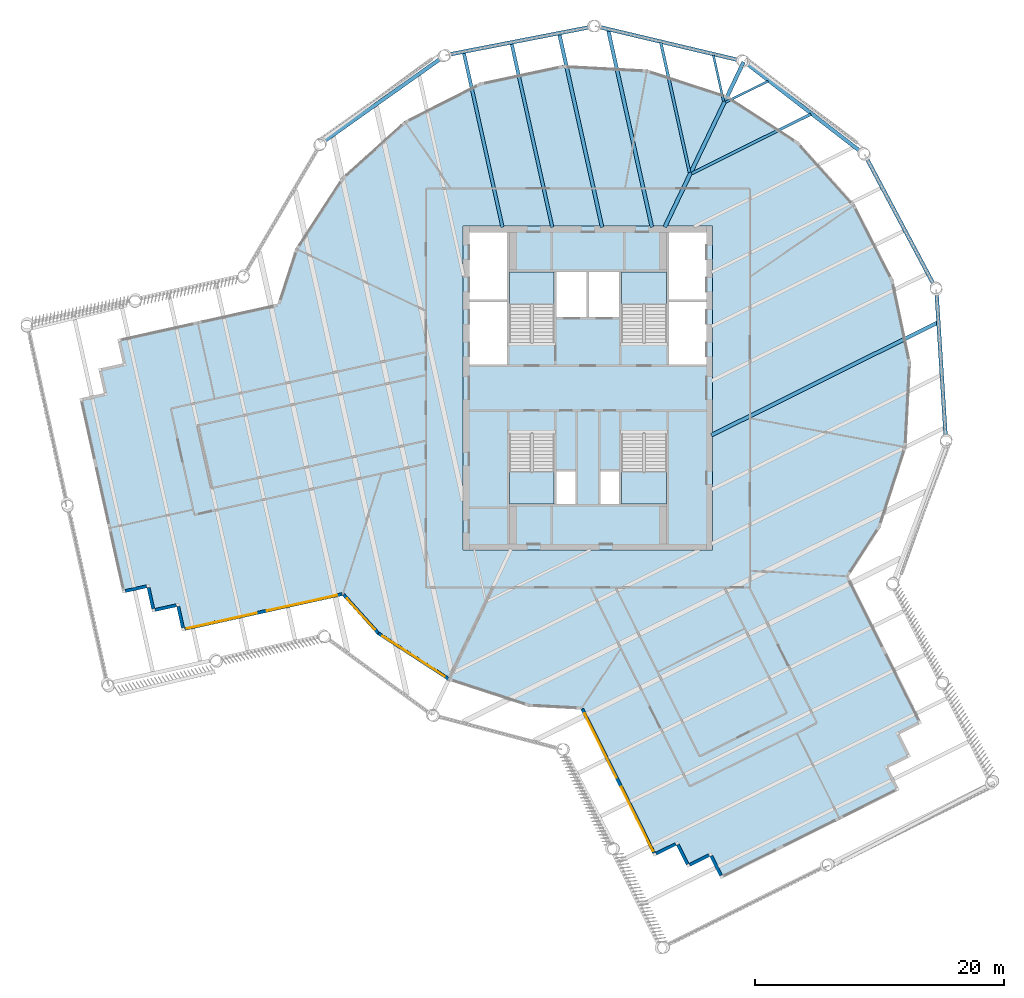
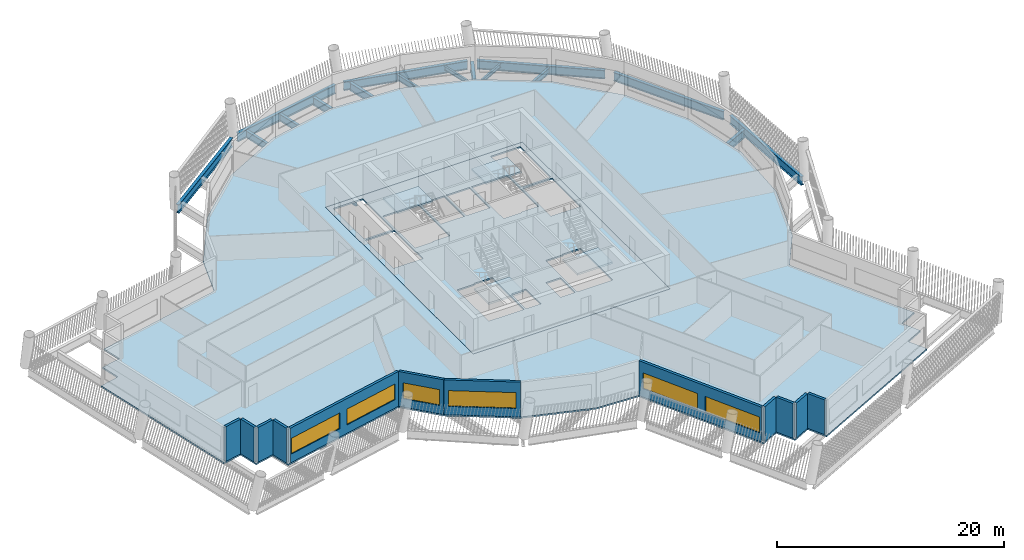
# One storey, part 2 of 14: 16 beams, 12 walls, 6 slabs, 6 windows, 6 openings, 4 elements without a shape of their own.
"""IFC4 building model written with IfcOpenShell, lengths in metres."""

from ifc_helpers import new_model, si_unit, direction, frame, frame_2d, origin, origin_2d, place, context, subcontext, project, spatial, polyline, rectangle, i_section, outline, extrude, material, layer, layer_set, material_profile, profile_set, type_object, element, fill, aggregate, save


model = new_model("IFC4")

# Units and contexts
model_context = context("Model", 3, precision=1e-05, world=origin(), true_north=direction((0.0, 1.0)))
body_context = subcontext(model_context, "Body", "Model", "MODEL_VIEW")
ifc_project = project(units=[si_unit("LENGTHUNIT", "METRE"), si_unit("AREAUNIT", "SQUARE_METRE"), si_unit("VOLUMEUNIT", "CUBIC_METRE"), si_unit("PLANEANGLEUNIT", "RADIAN"), si_unit("MASSUNIT", "GRAM", prefix="KILO")], contexts=[model_context])

# Site, building, storey
site_placement = place(None, origin())
site = spatial("IfcSite", under=ifc_project, at=site_placement, CompositionType="ELEMENT")
building_placement = place(site_placement, origin())
building = spatial("IfcBuilding", under=site, at=building_placement, Name="Tarsis Ring Headquarters", CompositionType="ELEMENT")
storey_placement = place(building_placement, frame((0.0, 0.0, 335.300048828125)))
storey = spatial("IfcBuildingStorey", under=building, at=storey_placement, Name="L79", CompositionType="ELEMENT", Elevation=335.300048828125)

# Beams
ifc_material_1 = material(Name="Structural steel S355", Category="steel")
ifc_material_profile_1 = material_profile(ifc_material_1, i_section(OverallWidth=0.177734375, OverallDepth=0.406494140625, WebThickness=0.0078125, FlangeThickness=0.0126953125, at=origin_2d()), Name="W16x40")
ifc_profile_set_1 = profile_set([ifc_material_profile_1], Name="Structural steel S355")
beam_type_1 = type_object("IfcBeamType", Name="FB Floor beam W16x40", PredefinedType="JOIST", material=ifc_profile_set_1)
beam_1_placement = place(storey_placement, frame((11.05224609375, 22.93408203125, -0.36328125), z_axis=(0.89508065403, 0.445904275357, 0.0), x_axis=(-0.445904275357, 0.89508065403, 0.0)))
element("IfcBeam", 1, at=beam_1_placement, inside=storey, type_object=beam_type_1, Name="Floor beam FB1", PredefinedType="JOIST", context=body_context, shape_type="SweptSolid", body=[
    extrude(i_section(OverallWidth=0.177734375, OverallDepth=0.406494140625, WebThickness=0.0078125, FlangeThickness=0.0126953125, at=origin_2d()), origin(), (0.0, 0.0, 1.0), 3.80517578125),
])
beam_2_placement = place(storey_placement, frame((10.0615234375, 26.729736328125, -0.36328125), z_axis=(0.216101542496, -0.976370894348, 0.0), x_axis=(0.976370894348, 0.216101542496, 0.0)))
element("IfcBeam", 2, at=beam_2_placement, inside=storey, type_object=beam_type_1, Name="Floor beam FB1", PredefinedType="JOIST", context=body_context, shape_type="SweptSolid", body=[
    extrude(i_section(OverallWidth=0.177734375, OverallDepth=0.406494140625, WebThickness=0.0078125, FlangeThickness=0.0126953125, at=origin_2d()), origin(), (0.0, 0.0, 1.0), 3.804931640625),
])
ifc_material_profile_2 = material_profile(ifc_material_1, i_section(OverallWidth=0.228271484375, OverallDepth=0.607177734375, WebThickness=0.01123046875, FlangeThickness=0.017333984375, at=origin_2d()), Name="W24x76")
ifc_profile_set_2 = profile_set([ifc_material_profile_2], Name="Structural steel S355")
beam_type_2 = type_object("IfcBeamType", Name="FB Floor beam W24x76", PredefinedType="JOIST", material=ifc_profile_set_2)
beam_3_placement = place(storey_placement, frame((8.3232421875, 17.217529296875, -0.463623046875), z_axis=(0.895088848649, 0.445887825608, 0.0), x_axis=(-0.445887825608, 0.895088848649, 0.0)))
element("IfcBeam", 3, at=beam_3_placement, inside=storey, type_object=beam_type_2, Name="Floor beam FB4", PredefinedType="JOIST", context=body_context, shape_type="SweptSolid", body=[
    extrude(i_section(OverallWidth=0.228271484375, OverallDepth=0.607177734375, WebThickness=0.01123046875, FlangeThickness=0.017333984375, at=origin_2d()), origin(), (0.0, 0.0, 1.0), 10.6845703125),
])
beam_4_placement = place(storey_placement, frame((5.845703125, 27.730224609375, -0.463623046875), z_axis=(0.216086027064, -0.976374328272, 0.0), x_axis=(0.976374328272, 0.216086027064, 0.0)))
element("IfcBeam", 4, at=beam_4_placement, inside=storey, type_object=beam_type_2, Name="Floor beam FB4", PredefinedType="JOIST", context=body_context, shape_type="SweptSolid", body=[
    extrude(i_section(OverallWidth=0.228271484375, OverallDepth=0.607177734375, WebThickness=0.01123046875, FlangeThickness=0.017333984375, at=origin_2d()), origin(), (0.0, 0.0, 1.0), 10.684814453125),
])
ifc_material_profile_3 = material_profile(ifc_material_1, i_section(OverallWidth=0.2666015625, OverallDepth=0.7568359375, WebThickness=0.013916015625, FlangeThickness=0.019287109375, at=origin_2d()), Name="W30x108")
ifc_profile_set_3 = profile_set([ifc_material_profile_3], Name="Structural steel S355")
beam_type_3 = type_object("IfcBeamType", Name="FB Floor beam W30x108", PredefinedType="JOIST", material=ifc_profile_set_3)
beam_5_placement = place(storey_placement, frame((-6.12646484375, 27.68017578125, -0.53857421875), z_axis=(0.216098621081, -0.976371540945, 0.0), x_axis=(0.976371540945, 0.216098621081, 0.0)))
element("IfcBeam", 5, at=beam_5_placement, inside=storey, type_object=beam_type_3, Name="Floor beam FB6", PredefinedType="JOIST", context=body_context, shape_type="SweptSolid", body=[
    extrude(i_section(OverallWidth=0.2666015625, OverallDepth=0.7568359375, WebThickness=0.013916015625, FlangeThickness=0.019287109375, at=origin_2d()), origin(), (0.0, 0.0, 1.0), 15.135498046875),
])
beam_6_placement = place(storey_placement, frame((-9.9560546875, 26.936279296875, -0.53857421875), z_axis=(0.216088698943, -0.976373736941, 0.0), x_axis=(0.976373736941, 0.216088698943, 0.0)))
element("IfcBeam", 6, at=beam_6_placement, inside=storey, type_object=beam_type_3, Name="Floor beam FB6", PredefinedType="JOIST", context=body_context, shape_type="SweptSolid", body=[
    extrude(i_section(OverallWidth=0.2666015625, OverallDepth=0.7568359375, WebThickness=0.013916015625, FlangeThickness=0.019287109375, at=origin_2d()), origin(), (0.0, 0.0, 1.0), 14.37353515625),
])
ifc_material_profile_4 = material_profile(ifc_material_1, i_section(OverallWidth=0.2919921875, OverallDepth=0.835693359375, WebThickness=0.013916015625, FlangeThickness=0.018798828125, at=origin_2d()), Name="W33x118")
ifc_profile_set_4 = profile_set([ifc_material_profile_4], Name="Structural steel S355")
beam_type_4 = type_object("IfcBeamType", Name="FB Floor beam W33x118", PredefinedType="JOIST", material=ifc_profile_set_4)
beam_7_placement = place(storey_placement, frame((1.6298828125, 28.73046875, -0.577880859375), z_axis=(0.216096407205, -0.976372030936, 0.0), x_axis=(0.976372030936, 0.216096407205, 0.0)))
element("IfcBeam", 7, at=beam_7_placement, inside=storey, type_object=beam_type_4, Name="Floor beam FB7", PredefinedType="JOIST", context=body_context, shape_type="SweptSolid", body=[
    extrude(i_section(OverallWidth=0.2919921875, OverallDepth=0.835693359375, WebThickness=0.013916015625, FlangeThickness=0.018798828125, at=origin_2d()), origin(), (0.0, 0.0, 1.0), 16.211181640625),
])
beam_8_placement = place(storey_placement, frame((-2.296630859375, 28.42431640625, -0.577880859375), z_axis=(0.216089711822, -0.976373512773, 0.0), x_axis=(0.976373512773, 0.216089711822, 0.0)))
element("IfcBeam", 8, at=beam_8_placement, inside=storey, type_object=beam_type_4, Name="Floor beam FB7", PredefinedType="JOIST", context=body_context, shape_type="SweptSolid", body=[
    extrude(i_section(OverallWidth=0.2919921875, OverallDepth=0.835693359375, WebThickness=0.013916015625, FlangeThickness=0.018798828125, at=origin_2d()), origin(), (0.0, 0.0, 1.0), 15.8974609375),
])
ifc_material_profile_5 = material_profile(ifc_material_1, i_section(OverallWidth=0.3046875, OverallDepth=0.904296875, WebThickness=0.01513671875, FlangeThickness=0.02001953125, at=origin_2d()), Name="W36x135")
ifc_profile_set_5 = profile_set([ifc_material_profile_5], Name="Structural steel S355")
beam_type_5 = type_object("IfcBeamType", Name="FB Floor beam W36x135", PredefinedType="JOIST", material=ifc_profile_set_5)
beam_9_placement = place(storey_placement, frame((9.910400390625, -3.77734375, -0.612060546875), z_axis=(0.895088569511, 0.445888385956, 0.0), x_axis=(-0.445888385956, 0.895088569511, 0.0)))
element("IfcBeam", 9, at=beam_9_placement, inside=storey, type_object=beam_type_5, Name="Floor beam FB8", PredefinedType="JOIST", context=body_context, shape_type="SweptSolid", body=[
    extrude(i_section(OverallWidth=0.3046875, OverallDepth=0.904296875, WebThickness=0.01513671875, FlangeThickness=0.02001953125, at=origin_2d()), origin(), (0.0, 0.0, 1.0), 20.2724609375),
])
ifc_material_profile_6 = material_profile(ifc_material_1, i_section(OverallWidth=0.309814453125, OverallDepth=0.949951171875, WebThickness=0.0244140625, FlangeThickness=0.0439453125, at=origin_2d()), Name="W36x256")
ifc_profile_set_6 = profile_set([ifc_material_profile_6], Name="Structural steel S355")
beam_type_6 = type_object("IfcBeamType", Name="FB Floor beam W36x256 spine", PredefinedType="BEAM", material=ifc_profile_set_6)
beam_10_placement = place(storey_placement, frame((12.48974609375, 26.16162109375, -0.635009765625), z_axis=(-0.43083298737, -0.902431679959, 0.0), x_axis=(0.902431679959, -0.43083298737, 0.0)))
element("IfcBeam", 10, at=beam_10_placement, inside=storey, type_object=beam_type_6, Name="Floor beam SB11", PredefinedType="BEAM", context=body_context, shape_type="SweptSolid", body=[
    extrude(i_section(OverallWidth=0.309814453125, OverallDepth=0.949951171875, WebThickness=0.0244140625, FlangeThickness=0.0439453125, at=origin_2d()), origin(), (0.0, 0.0, 1.0), 14.684814453125),
])
ifc_material_profile_7 = material_profile(ifc_material_1, i_section(OverallWidth=0.309814453125, OverallDepth=0.93212890625, WebThickness=0.02099609375, FlangeThickness=0.034423828125, at=origin_2d()), Name="W36x210")
ifc_profile_set_7 = profile_set([ifc_material_profile_7], Name="Structural steel S355")
beam_type_7 = type_object("IfcBeamType", Name="XG Ring girder W36x210", PredefinedType="BEAM", material=ifc_profile_set_7)
for number, where, z_axis, x_axis, name in (
    (11, (28.698486328125, -3.884033203125, -0.466064453125), (-0.063200997669, 0.998000818584, 0.0), (-0.998000818584, -0.063200997669, 0.0), "Ring girder XG3"),
    (12, (27.748046875, 8.29052734375, -0.466064453125), (-0.468945027078, 0.883227355543, 0.0), (-0.883227355543, -0.468945027078, 0.0), "Ring girder XG3"),
):
    element("IfcBeam", number, at=place(storey_placement, frame(where, z_axis=z_axis, x_axis=x_axis)), inside=storey, type_object=beam_type_7, Name=name, PredefinedType="BEAM", context=body_context, shape_type="SweptSolid", body=[
        extrude(i_section(OverallWidth=0.309814453125, OverallDepth=0.93212890625, WebThickness=0.02099609375, FlangeThickness=0.034423828125, at=origin_2d()), origin(), (0.0, 0.0, 1.0), 11.380126953125),
    ])
beam_11_placement = place(storey_placement, frame((21.86376953125, 18.990966796875, -0.466064453125), z_axis=(-0.791316611807, 0.611406591294, 0.0), x_axis=(-0.611406591294, -0.791316611807, 0.0)))
element("IfcBeam", 13, at=beam_11_placement, inside=storey, type_object=beam_type_7, Name="Ring girder XG3", PredefinedType="BEAM", context=body_context, shape_type="SweptSolid", body=[
    extrude(i_section(OverallWidth=0.309814453125, OverallDepth=0.93212890625, WebThickness=0.02099609375, FlangeThickness=0.034423828125, at=origin_2d()), origin(), (0.0, 0.0, 1.0), 11.3798828125),
])
for number, where, z_axis, x_axis, name in (
    (14, (12.09228515625, 26.314697265625, -0.466064453125), (-0.972982712037, 0.230877980927, 0.0), (-0.230877980927, -0.972982712037, 0.0), "Ring girder XG3"),
    (15, (0.170654296875, 28.95947265625, -0.466064453125), (-0.981649093138, -0.190696245223, 0.0), (0.190696245223, -0.981649093138, 0.0), "Ring girder XG3"),
    (16, (-11.781494140625, 26.455322265625, -0.466064453125), (-0.815765098209, -0.578383354312, 0.0), (0.578383354312, -0.815765098209, 0.0), "Ring girder XG3"),
):
    element("IfcBeam", number, at=place(storey_placement, frame(where, z_axis=z_axis, x_axis=x_axis)), inside=storey, type_object=beam_type_7, Name=name, PredefinedType="BEAM", context=body_context, shape_type="SweptSolid", body=[
        extrude(i_section(OverallWidth=0.309814453125, OverallDepth=0.93212890625, WebThickness=0.02099609375, FlangeThickness=0.034423828125, at=origin_2d()), origin(), (0.0, 0.0, 1.0), 11.380126953125),
    ])

# Slab
ifc_material_2 = material(Name="Concrete C40/50", Category="concrete")
ifc_layer_1 = layer(ifc_material_2, 0.159912109375)
ifc_layer_set_1 = layer_set([ifc_layer_1], Name="Core floor slab 160 C40/50")
slab_type_1 = type_object("IfcSlabType", Name="Core floor slab 160 C40/50", PredefinedType="FLOOR", material=ifc_layer_set_1)
slab_1_placement = place(storey_placement, frame((0.0, 0.0, -0.16015625)))
element("IfcSlab", 17, at=slab_1_placement, inside=storey, type_object=slab_type_1, Name="L79 core floor slab", PredefinedType="FLOOR", context=body_context, shape_type="SweptSolid", body=[
    extrude(outline(polyline([(-10.0, -13.0), (10.0, -13.0), (10.0, 13.0), (-10.0, 13.0), (-10.0, -13.0)]), holes=[polyline([(-2.5, 5.699951171875), (-0.10009765625, 5.699951171875), (-0.10009765625, 9.300048828125), (-2.5, 9.300048828125), (-2.5, 5.699951171875)]), polyline([(0.10009765625, 5.699951171875), (2.5, 5.699951171875), (2.5, 9.300048828125), (0.10009765625, 9.300048828125), (0.10009765625, 5.699951171875)]), polyline([(-9.5, 1.89990234375), (-6.5, 1.89990234375), (-6.5, 6.89990234375), (-9.5, 6.89990234375), (-9.5, 1.89990234375)]), polyline([(-9.5, 7.10009765625), (-6.5, 7.10009765625), (-6.5, 12.5), (-9.5, 12.5), (-9.5, 7.10009765625)]), polyline([(6.5, 1.89990234375), (9.5, 1.89990234375), (9.5, 6.89990234375), (6.5, 6.89990234375), (6.5, 1.89990234375)]), polyline([(6.5, 7.10009765625), (9.5, 7.10009765625), (9.5, 12.5), (6.5, 12.5), (6.5, 7.10009765625)]), polyline([(-2.5, -9.300048828125), (-1.0, -9.300048828125), (-1.0, -6.699951171875), (-2.5, -6.699951171875), (-2.5, -9.300048828125)]), polyline([(1.0, -9.300048828125), (2.5, -9.300048828125), (2.5, -6.699951171875), (1.0, -6.699951171875), (1.0, -9.300048828125)]), polyline([(-2.699951171875, 3.760009765625), (-2.699951171875, 9.300048828125), (-6.300048828125, 9.300048828125), (-6.300048828125, 3.659912109375), (-4.4599609375, 3.659912109375), (-4.4599609375, 3.760009765625), (-2.699951171875, 3.760009765625)]), polyline([(6.300048828125, 3.760009765625), (6.300048828125, 9.300048828125), (2.699951171875, 9.300048828125), (2.699951171875, 3.659912109375), (4.5400390625, 3.659912109375), (4.5400390625, 3.760009765625), (6.300048828125, 3.760009765625)]), polyline([(-6.300048828125, -3.760009765625), (-6.300048828125, -9.300048828125), (-2.699951171875, -9.300048828125), (-2.699951171875, -3.659912109375), (-4.5400390625, -3.659912109375), (-4.5400390625, -3.760009765625), (-6.300048828125, -3.760009765625)]), polyline([(2.699951171875, -3.760009765625), (2.699951171875, -9.300048828125), (6.300048828125, -9.300048828125), (6.300048828125, -3.659912109375), (4.4599609375, -3.659912109375), (4.4599609375, -3.760009765625), (2.699951171875, -3.760009765625)])]), origin(), (0.0, 0.0, 1.0), 0.16015625),
])

# Stair, slab
ifc_material_3 = material(Name="Core stair 1760")
stair_type = type_object("IfcStairType", Name="Core stair 1760", PredefinedType="HALF_TURN_STAIR", material=ifc_material_3)
stair_1_placement = place(storey_placement, origin())
stair_1 = element("IfcStair", 18, at=stair_1_placement, inside=storey, type_object=stair_type, Name="L79 Firefighting stair", PredefinedType="HALF_TURN_STAIR")
ifc_layer_2 = layer(ifc_material_2, 0.199951171875)
ifc_layer_set_2 = layer_set([ifc_layer_2], Name="Core stair landing 200")
slab_type_2 = type_object("IfcSlabType", Name="Core stair landing 200", PredefinedType="LANDING", material=ifc_layer_set_2)
slab_2_placement = place(storey_placement, frame((0.0, 0.0, 1.75)))
slab_2 = element("IfcSlab", 19, at=slab_2_placement, type_object=slab_type_2, Name="Stair ST1 landing 1", PredefinedType="LANDING", context=body_context, shape_type="SweptSolid", body=[
    extrude(outline(polyline([(-2.699951171875, 6.739990234375), (-2.699951171875, 9.300048828125), (-6.300048828125, 9.300048828125), (-6.300048828125, 6.739990234375), (-2.699951171875, 6.739990234375)])), origin(), (0.0, 0.0, 1.0), 0.199951171875),
])
aggregate(stair_1, [slab_2])

stair_2_placement = place(storey_placement, origin())
stair_2 = element("IfcStair", 20, at=stair_2_placement, inside=storey, type_object=stair_type, Name="L79 Exit stair B", PredefinedType="HALF_TURN_STAIR")
slab_3_placement = place(storey_placement, frame((0.0, 0.0, 1.75)))
slab_3 = element("IfcSlab", 21, at=slab_3_placement, type_object=slab_type_2, Name="Stair ST2 landing 1", PredefinedType="LANDING", context=body_context, shape_type="SweptSolid", body=[
    extrude(outline(polyline([(6.300048828125, 6.739990234375), (6.300048828125, 9.300048828125), (2.699951171875, 9.300048828125), (2.699951171875, 6.739990234375), (6.300048828125, 6.739990234375)])), origin(), (0.0, 0.0, 1.0), 0.199951171875),
])
aggregate(stair_2, [slab_3])

stair_3_placement = place(storey_placement, origin())
stair_3 = element("IfcStair", 22, at=stair_3_placement, inside=storey, type_object=stair_type, Name="L79 Exit stair C", PredefinedType="HALF_TURN_STAIR")
slab_4_placement = place(storey_placement, frame((0.0, 0.0, 1.75)))
slab_4 = element("IfcSlab", 23, at=slab_4_placement, type_object=slab_type_2, Name="Stair ST3 landing 1", PredefinedType="LANDING", context=body_context, shape_type="SweptSolid", body=[
    extrude(outline(polyline([(-6.300048828125, -6.739990234375), (-6.300048828125, -9.300048828125), (-2.699951171875, -9.300048828125), (-2.699951171875, -6.739990234375), (-6.300048828125, -6.739990234375)])), origin(), (0.0, 0.0, 1.0), 0.199951171875),
])
aggregate(stair_3, [slab_4])

stair_4_placement = place(storey_placement, origin())
stair_4 = element("IfcStair", 24, at=stair_4_placement, inside=storey, type_object=stair_type, Name="L79 Exit stair D", PredefinedType="HALF_TURN_STAIR")
slab_5_placement = place(storey_placement, frame((0.0, 0.0, 1.75)))
slab_5 = element("IfcSlab", 25, at=slab_5_placement, type_object=slab_type_2, Name="Stair ST4 landing 1", PredefinedType="LANDING", context=body_context, shape_type="SweptSolid", body=[
    extrude(outline(polyline([(2.699951171875, -6.739990234375), (2.699951171875, -9.300048828125), (6.300048828125, -9.300048828125), (6.300048828125, -6.739990234375), (2.699951171875, -6.739990234375)])), origin(), (0.0, 0.0, 1.0), 0.199951171875),
])
aggregate(stair_4, [slab_5])

# Slab
ifc_material_4 = material(Name="Concrete C35/45", Category="concrete")
ifc_layer_3 = layer(ifc_material_4, 0.159912109375)
ifc_layer_set_3 = layer_set([ifc_layer_3], Name="FS Composite floor slab 160")
slab_type_3 = type_object("IfcSlabType", Name="FS Composite floor slab 160", PredefinedType="FLOOR", material=ifc_layer_set_3)
slab_6_placement = place(storey_placement, frame((0.0, 0.0, -0.16015625)))
element("IfcSlab", 26, at=slab_6_placement, inside=storey, type_object=slab_type_3, Name="Floor slab L79", PredefinedType="FLOOR", context=body_context, shape_type="SweptSolid", body=[
    extrude(outline(polyline([(-19.6953125, -16.649658203125), (-16.892578125, -19.7646484375), (-11.201416015625, -23.46337890625), (-4.7470703125, -25.56298828125), (-0.5625, -25.78369140625), (5.310791015625, -37.573974609375), (7.10107421875, -36.68212890625), (7.99267578125, -38.47216796875), (9.782958984375, -37.58056640625), (10.6748046875, -39.37060546875), (24.99609375, -32.236572265625), (24.104248046875, -30.4462890625), (25.89453125, -29.5546875), (25.002685546875, -27.764404296875), (26.79296875, -26.87255859375), (20.928955078125, -15.10107421875), (23.46337890625, -11.201416015625), (25.56298828125, -4.7470703125), (25.920654296875, 2.031005859375), (24.51171875, 8.67041015625), (21.432373046875, 14.718994140625), (16.892578125, 19.7646484375), (11.201416015625, 23.46337890625), (4.7470703125, 25.56298828125), (-2.031005859375, 25.920654296875), (-8.67041015625, 24.51171875), (-14.718994140625, 21.432373046875), (-19.7646484375, 16.892578125), (-23.46337890625, 11.201416015625), (-24.902099609375, 6.77880859375), (-37.74267578125, 3.93701171875), (-37.310302734375, 1.984130859375), (-39.26318359375, 1.552001953125), (-38.830810546875, -0.40087890625), (-40.78369140625, -0.8330078125), (-37.326171875, -16.454833984375), (-35.373291015625, -16.022705078125), (-34.941162109375, -17.9755859375), (-32.98828125, -17.543212890625), (-32.55615234375, -19.49609375), (-19.6953125, -16.649658203125)]), holes=[polyline([(-10.0, -13.0), (-10.0, 13.0), (10.0, 13.0), (10.0, -13.0), (-10.0, -13.0)])]), origin(), (0.0, 0.0, 1.0), 0.16015625),
])

# Wall, openings, windows
ifc_material_5 = material(Name="Terracotta clad insulated panel wall", Category="masonry")
ifc_layer_4 = layer(ifc_material_5, 0.25)
ifc_layer_set_4 = layer_set([ifc_layer_4], Name="Facade wall terracotta panel 250")
wall_type = type_object("IfcWallType", Name="Facade wall terracotta panel 250", PredefinedType="STANDARD", material=ifc_layer_set_4)
wall_1_placement = place(storey_placement, frame((-32.339111328125, -19.31982421875, 0.0), z_axis=(0.0, 0.0, 1.0), x_axis=(0.97637473863, 0.216084172873, 0.0)))
wall_1 = element("IfcWall", 27, at=wall_1_placement, inside=storey, type_object=wall_type, Name="External wall L79-01", PredefinedType="STANDARD", context=body_context, shape_type="SweptSolid", body=[
    extrude(rectangle(XDim=12.921875, YDim=0.25, at=frame_2d((6.4609375, 0.0))), origin(), (0.0, 0.0, 1.0), 3.739990234375),
])
opening_1_placement = place(wall_1_placement, frame((0.16796875, 0.0, 0.89990234375)))
opening_1 = element("IfcOpeningElement", 28, at=opening_1_placement, cuts=wall_1, Name="Opening WN06", PredefinedType="OPENING", context=body_context, shape_type="SweptSolid", body=[
    extrude(rectangle(XDim=5.75, YDim=1.699951171875, at=frame_2d((2.875, 0.85009765625))), frame((0.0, 0.135009765625, 0.0), z_axis=(0.0, -1.0, 0.0), x_axis=(1.0, 0.0, 0.0)), (0.0, 0.0, 1.0), 0.27001953125),
])
opening_2_placement = place(wall_1_placement, frame((6.75390625, 0.0, 0.89990234375)))
opening_2 = element("IfcOpeningElement", 29, at=opening_2_placement, cuts=wall_1, Name="Opening WN06", PredefinedType="OPENING", context=body_context, shape_type="SweptSolid", body=[
    extrude(rectangle(XDim=5.75, YDim=1.699951171875, at=frame_2d((2.875, 0.85009765625))), frame((0.0, 0.135009765625, 0.0), z_axis=(0.0, -1.0, 0.0), x_axis=(1.0, 0.0, 0.0)), (0.0, 0.0, 1.0), 0.27001953125),
])
ifc_material_6 = material(Name="Aluminium framed double glazing", Category="aluminium")
window_type_1 = type_object("IfcWindowType", Name="Facade window 5750 x 1700", PartitioningType="SINGLE_PANEL", PredefinedType="WINDOW", material=ifc_material_6)
window_1_placement = place(opening_1_placement, origin())
window_1 = element("IfcWindow", 30, at=window_1_placement, inside=storey, type_object=window_type_1, Name="Window L79-01.1", OverallHeight=1.699951171875, OverallWidth=5.75, PartitioningType="SINGLE_PANEL", PredefinedType="WINDOW", context=body_context, shape_type="SweptSolid", body=[
    extrude(rectangle(XDim=5.75, YDim=1.699951171875, at=frame_2d((2.875, 0.85009765625))), frame((0.0, 0.030029296875, 0.0), z_axis=(0.0, -1.0, 0.0), x_axis=(1.0, 0.0, 0.0)), (0.0, 0.0, 1.0), 0.06005859375),
])
fill(opening_1, window_1)
window_2_placement = place(opening_2_placement, origin())
window_2 = element("IfcWindow", 31, at=window_2_placement, inside=storey, type_object=window_type_1, Name="Window L79-01.2", OverallHeight=1.699951171875, OverallWidth=5.75, PartitioningType="SINGLE_PANEL", PredefinedType="WINDOW", context=body_context, shape_type="SweptSolid", body=[
    extrude(rectangle(XDim=5.75, YDim=1.699951171875, at=frame_2d((2.875, 0.85009765625))), frame((0.0, 0.030029296875, 0.0), z_axis=(0.0, -1.0, 0.0), x_axis=(1.0, 0.0, 0.0)), (0.0, 0.0, 1.0), 0.06005859375),
])
fill(opening_2, window_2)

# Wall, opening, window
wall_2_placement = place(storey_placement, frame((-19.6025390625, -16.56591796875, 0.0), z_axis=(0.0, 0.0, 1.0), x_axis=(0.668896598896, -0.74335546005, 0.0)))
wall_2 = element("IfcWall", 32, at=wall_2_placement, inside=storey, type_object=wall_type, Name="External wall L79-02", PredefinedType="STANDARD", context=body_context, shape_type="SweptSolid", body=[
    extrude(rectangle(XDim=4.15771484375, YDim=0.25, at=frame_2d((2.078857421875, 0.0))), origin(), (0.0, 0.0, 1.0), 3.739990234375),
])
opening_3_placement = place(wall_2_placement, frame((0.420166015625, 0.0, 0.89990234375)))
opening_3 = element("IfcOpeningElement", 33, at=opening_3_placement, cuts=wall_2, Name="Opening WN01", PredefinedType="OPENING", context=body_context, shape_type="SweptSolid", body=[
    extrude(rectangle(XDim=3.35009765625, YDim=1.699951171875, at=frame_2d((1.675048828125, 0.85009765625))), frame((0.0, 0.135009765625, 0.0), z_axis=(0.0, -1.0, 0.0), x_axis=(1.0, 0.0, 0.0)), (0.0, 0.0, 1.0), 0.27001953125),
])
window_type_2 = type_object("IfcWindowType", Name="Facade window 3350 x 1700", PartitioningType="SINGLE_PANEL", PredefinedType="WINDOW", material=ifc_material_6)
window_3_placement = place(opening_3_placement, origin())
window_3 = element("IfcWindow", 34, at=window_3_placement, inside=storey, type_object=window_type_2, Name="Window L79-02.1", OverallHeight=1.699951171875, OverallWidth=3.35009765625, PartitioningType="SINGLE_PANEL", PredefinedType="WINDOW", context=body_context, shape_type="SweptSolid", body=[
    extrude(rectangle(XDim=3.35009765625, YDim=1.699951171875, at=frame_2d((1.675048828125, 0.85009765625))), frame((0.0, 0.030029296875, 0.0), z_axis=(0.0, -1.0, 0.0), x_axis=(1.0, 0.0, 0.0)), (0.0, 0.0, 1.0), 0.06005859375),
])
fill(opening_3, window_3)

wall_3_placement = place(storey_placement, frame((-16.796875, -19.677734375, 0.0), z_axis=(0.0, 0.0, 1.0), x_axis=(0.838480957136, -0.544930898848, 0.0)))
wall_3 = element("IfcWall", 35, at=wall_3_placement, inside=storey, type_object=wall_type, Name="External wall L79-03", PredefinedType="STANDARD", context=body_context, shape_type="SweptSolid", body=[
    extrude(rectangle(XDim=6.7216796875, YDim=0.25, at=frame_2d((3.36083984375, 0.0))), origin(), (0.0, 0.0, 1.0), 3.739990234375),
])
opening_4_placement = place(wall_3_placement, frame((0.3857421875, 0.0, 0.89990234375)))
opening_4 = element("IfcOpeningElement", 36, at=opening_4_placement, cuts=wall_3, Name="Opening WN07", PredefinedType="OPENING", context=body_context, shape_type="SweptSolid", body=[
    extrude(rectangle(XDim=5.949951171875, YDim=1.699951171875, at=frame_2d((2.97509765625, 0.85009765625))), frame((0.0, 0.135009765625, 0.0), z_axis=(0.0, -1.0, 0.0), x_axis=(1.0, 0.0, 0.0)), (0.0, 0.0, 1.0), 0.27001953125),
])
window_type_3 = type_object("IfcWindowType", Name="Facade window 5950 x 1700", PartitioningType="SINGLE_PANEL", PredefinedType="WINDOW", material=ifc_material_6)
window_4_placement = place(opening_4_placement, origin())
window_4 = element("IfcWindow", 37, at=window_4_placement, inside=storey, type_object=window_type_3, Name="Window L79-03.1", OverallHeight=1.699951171875, OverallWidth=5.949951171875, PartitioningType="SINGLE_PANEL", PredefinedType="WINDOW", context=body_context, shape_type="SweptSolid", body=[
    extrude(rectangle(XDim=5.949951171875, YDim=1.699951171875, at=frame_2d((2.97509765625, 0.85009765625))), frame((0.0, 0.030029296875, 0.0), z_axis=(0.0, -1.0, 0.0), x_axis=(1.0, 0.0, 0.0)), (0.0, 0.0, 1.0), 0.06005859375),
])
fill(opening_4, window_4)

# Wall, openings, windows
wall_4_placement = place(storey_placement, frame((-0.450439453125, -25.72802734375, 0.0), z_axis=(0.0, 0.0, 1.0), x_axis=(0.44588300932, -0.895091247862, 0.0)))
wall_4 = element("IfcWall", 38, at=wall_4_placement, inside=storey, type_object=wall_type, Name="External wall L79-06", PredefinedType="STANDARD", context=body_context, shape_type="SweptSolid", body=[
    extrude(rectangle(XDim=12.922119140625, YDim=0.25, at=frame_2d((6.4609375, 0.0))), origin(), (0.0, 0.0, 1.0), 3.739990234375),
])
opening_5_placement = place(wall_4_placement, frame((0.41796875, 0.0, 0.89990234375)))
opening_5 = element("IfcOpeningElement", 39, at=opening_5_placement, cuts=wall_4, Name="Opening WN06", PredefinedType="OPENING", context=body_context, shape_type="SweptSolid", body=[
    extrude(rectangle(XDim=5.75, YDim=1.699951171875, at=frame_2d((2.875, 0.85009765625))), frame((0.0, 0.135009765625, 0.0), z_axis=(0.0, -1.0, 0.0), x_axis=(1.0, 0.0, 0.0)), (0.0, 0.0, 1.0), 0.27001953125),
])
opening_6_placement = place(wall_4_placement, frame((7.00390625, 0.0, 0.89990234375)))
opening_6 = element("IfcOpeningElement", 40, at=opening_6_placement, cuts=wall_4, Name="Opening WN06", PredefinedType="OPENING", context=body_context, shape_type="SweptSolid", body=[
    extrude(rectangle(XDim=5.75, YDim=1.699951171875, at=frame_2d((2.875, 0.85009765625))), frame((0.0, 0.135009765625, 0.0), z_axis=(0.0, -1.0, 0.0), x_axis=(1.0, 0.0, 0.0)), (0.0, 0.0, 1.0), 0.27001953125),
])
window_5_placement = place(opening_5_placement, origin())
window_5 = element("IfcWindow", 41, at=window_5_placement, inside=storey, type_object=window_type_1, Name="Window L79-06.1", OverallHeight=1.699951171875, OverallWidth=5.75, PartitioningType="SINGLE_PANEL", PredefinedType="WINDOW", context=body_context, shape_type="SweptSolid", body=[
    extrude(rectangle(XDim=5.75, YDim=1.699951171875, at=frame_2d((2.875, 0.85009765625))), frame((0.0, 0.030029296875, 0.0), z_axis=(0.0, -1.0, 0.0), x_axis=(1.0, 0.0, 0.0)), (0.0, 0.0, 1.0), 0.06005859375),
])
fill(opening_5, window_5)
window_6_placement = place(opening_6_placement, origin())
window_6 = element("IfcWindow", 42, at=window_6_placement, inside=storey, type_object=window_type_1, Name="Window L79-06.2", OverallHeight=1.699951171875, OverallWidth=5.75, PartitioningType="SINGLE_PANEL", PredefinedType="WINDOW", context=body_context, shape_type="SweptSolid", body=[
    extrude(rectangle(XDim=5.75, YDim=1.699951171875, at=frame_2d((2.875, 0.85009765625))), frame((0.0, 0.030029296875, 0.0), z_axis=(0.0, -1.0, 0.0), x_axis=(1.0, 0.0, 0.0)), (0.0, 0.0, 1.0), 0.06005859375),
])
fill(opening_6, window_6)

# Walls
for number, where, z_axis, x_axis, name in (
    (43, (5.478759765625, -37.3505859375, 0.0), (0.0, 0.0, 1.0), (0.895095836041, 0.445873798627, 0.0), "External wall L79-07"),
    (44, (7.212890625, -36.62646484375, 0.0), (0.0, 0.0, 1.0), (0.445873798627, -0.895095836041, 0.0), "External wall L79-08"),
    (45, (8.160888671875, -38.2490234375, 0.0), (0.0, 0.0, 1.0), (0.895040154137, 0.445985563088, 0.0), "External wall L79-09"),
    (46, (9.894775390625, -37.524658203125, 0.0), (0.0, 0.0, 1.0), (0.445873798627, -0.895095836041, 0.0), "External wall L79-10"),
):
    element("IfcWall", number, at=place(storey_placement, frame(where, z_axis=z_axis, x_axis=x_axis)), inside=storey, type_object=wall_type, Name=name, PredefinedType="STANDARD", context=body_context, shape_type="SweptSolid", body=[
        extrude(rectangle(XDim=1.75, YDim=0.25, at=frame_2d((0.875, 0.0))), origin(), (0.0, 0.0, 1.0), 3.739990234375),
    ])
wall_5_placement = place(storey_placement, frame((-37.10888671875, -16.27880859375, 0.0), z_axis=(0.0, 0.0, 1.0), x_axis=(0.976367278513, 0.216117878596, 0.0)))
element("IfcWall", 47, at=wall_5_placement, inside=storey, type_object=wall_type, Name="External wall L79-37", PredefinedType="STANDARD", context=body_context, shape_type="SweptSolid", body=[
    extrude(rectangle(XDim=1.749755859375, YDim=0.25, at=frame_2d((0.875, 0.0))), origin(), (0.0, 0.0, 1.0), 3.739990234375),
])
for number, where, z_axis, x_axis, name in (
    (48, (-35.251220703125, -15.99560546875, 0.0), (0.0, 0.0, 1.0), (0.216088442143, -0.976373793776, 0.0), "External wall L79-38"),
    (49, (-34.72412109375, -17.79931640625, 0.0), (0.0, 0.0, 1.0), (0.976373793776, 0.216088442143, 0.0), "External wall L79-39"),
):
    element("IfcWall", number, at=place(storey_placement, frame(where, z_axis=z_axis, x_axis=x_axis)), inside=storey, type_object=wall_type, Name=name, PredefinedType="STANDARD", context=body_context, shape_type="SweptSolid", body=[
        extrude(rectangle(XDim=1.75, YDim=0.25, at=frame_2d((0.875, 0.0))), origin(), (0.0, 0.0, 1.0), 3.739990234375),
    ])
wall_6_placement = place(storey_placement, frame((-32.866455078125, -17.516357421875, 0.0), z_axis=(0.0, 0.0, 1.0), x_axis=(0.216117878596, -0.976367278513, 0.0)))
element("IfcWall", 50, at=wall_6_placement, inside=storey, type_object=wall_type, Name="External wall L79-40", PredefinedType="STANDARD", context=body_context, shape_type="SweptSolid", body=[
    extrude(rectangle(XDim=1.749755859375, YDim=0.25, at=frame_2d((0.875, 0.0))), origin(), (0.0, 0.0, 1.0), 3.739990234375),
])

save(model, "model.ifc")
